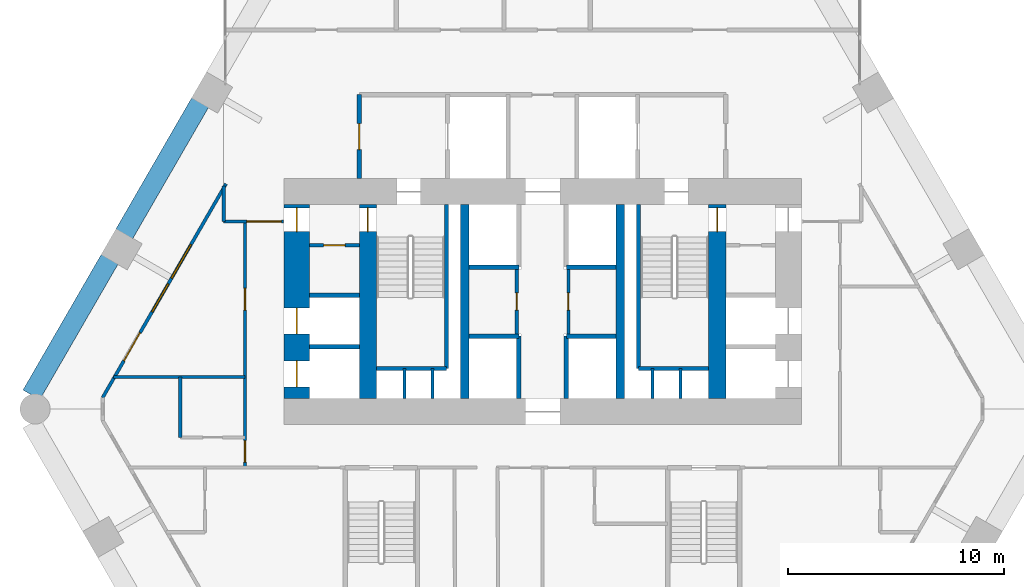
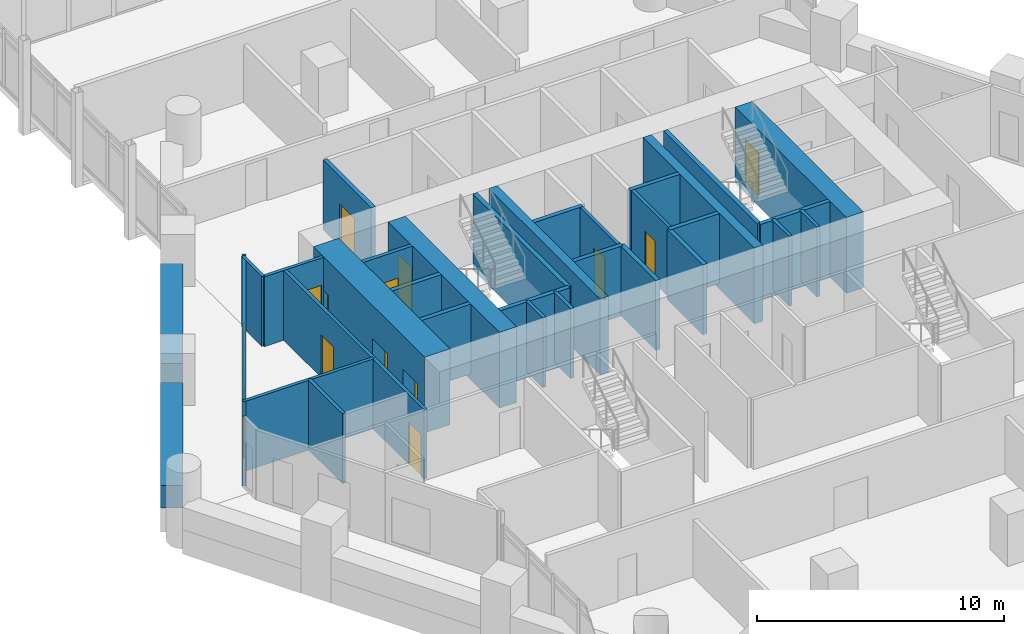
# One storey, part 25 of 28: 33 walls, 13 doors, 2 windows, 15 openings.
"""IFC4 building model written with IfcOpenShell, lengths in metres."""

from ifc_helpers import new_model, si_unit, direction, frame, frame_2d, origin, place, context, subcontext, project, spatial, rectangle, extrude, material, layer, layer_set, type_object, element, fill, save


model = new_model("IFC4")

# Units and contexts
model_context = context("Model", 3, precision=1e-05, world=origin(), true_north=direction((0.0, 1.0)))
body_context = subcontext(model_context, "Body", "Model", "MODEL_VIEW")
ifc_project = project(units=[si_unit("LENGTHUNIT", "METRE"), si_unit("AREAUNIT", "SQUARE_METRE"), si_unit("VOLUMEUNIT", "CUBIC_METRE"), si_unit("PLANEANGLEUNIT", "RADIAN"), si_unit("MASSUNIT", "GRAM", prefix="KILO")], contexts=[model_context])

# Site, building, storey
site_placement = place(None, origin())
site = spatial("IfcSite", under=ifc_project, at=site_placement, CompositionType="ELEMENT")
building_placement = place(site_placement, origin())
building = spatial("IfcBuilding", under=site, at=building_placement, Name="Ostrander Bayou Hotel Tower", CompositionType="ELEMENT")
storey_placement = place(building_placement, frame((0.0, 0.0, 76.75)))
storey = spatial("IfcBuildingStorey", under=building, at=storey_placement, Name="L19", CompositionType="ELEMENT", Elevation=76.75)

# Wall, openings, doors
ifc_material_1 = material(Name="Concrete f'c 70 MPa", Category="concrete")
ifc_layer_1 = layer(ifc_material_1, 1.199951171875)
ifc_layer_set_1 = layer_set([ifc_layer_1], Name="CW1 core wall 1200 mm f'c 70 MPa")
wall_type_1 = type_object("IfcWallType", Name="CW1 core wall 1200 mm f'c 70 MPa", PredefinedType="SHEAR", material=ifc_layer_set_1)
wall_1_placement = place(storey_placement, frame((-11.39990234375, -0.5, -0.300048828125), z_axis=(0.0, 0.0, 1.0), x_axis=(0.0, 1.0, 0.0)))
wall_1 = element("IfcWall", 1, at=wall_1_placement, inside=storey, type_object=wall_type_1, Name="CW1 L19 RW", PredefinedType="SHEAR", context=body_context, shape_type="SweptSolid", body=[
    extrude(rectangle(XDim=9.0, YDim=1.199951171875, at=frame_2d((4.5, 0.0))), origin(), (0.0, 0.0, 1.0), 3.75),
])
opening_1_placement = place(wall_1_placement, frame((7.75, 0.0, 0.0)))
opening_1 = element("IfcOpeningElement", 2, at=opening_1_placement, cuts=wall_1, Name="Opening T18-017", PredefinedType="OPENING", context=body_context, shape_type="SweptSolid", body=[
    extrude(rectangle(XDim=1.10009765625, YDim=2.10009765625, at=frame_2d((0.550048828125, 1.050048828125))), frame((0.0, 0.60009765625, 0.0), z_axis=(0.0, -1.0, 0.0), x_axis=(1.0, 0.0, 0.0)), (0.0, 0.0, 1.0), 1.199951171875),
])
opening_2_placement = place(wall_1_placement, frame((0.550048828125, 0.0, 0.0)))
opening_2 = element("IfcOpeningElement", 3, at=opening_2_placement, cuts=wall_1, Name="Opening T18-018", PredefinedType="OPENING", context=body_context, shape_type="SweptSolid", body=[
    extrude(rectangle(XDim=1.199951171875, YDim=2.10009765625, at=frame_2d((0.60009765625, 1.050048828125))), frame((0.0, 0.60009765625, 0.0), z_axis=(0.0, -1.0, 0.0), x_axis=(1.0, 0.0, 0.0)), (0.0, 0.0, 1.0), 1.199951171875),
])
opening_3_placement = place(wall_1_placement, frame((3.0, 0.0, 0.0)))
opening_3 = element("IfcOpeningElement", 4, at=opening_3_placement, cuts=wall_1, Name="Opening T18-019", PredefinedType="OPENING", context=body_context, shape_type="SweptSolid", body=[
    extrude(rectangle(XDim=1.199951171875, YDim=2.10009765625, at=frame_2d((0.60009765625, 1.050048828125))), frame((0.0, 0.60009765625, 0.0), z_axis=(0.0, -1.0, 0.0), x_axis=(1.0, 0.0, 0.0)), (0.0, 0.0, 1.0), 1.199951171875),
])
ifc_material_2 = material(Name="Timber door leaf", Category="wood")
door_type_1 = type_object("IfcDoorType", Name="D5 stair door 1100 x 2100 mm, 90 minute", OperationType="SINGLE_SWING_LEFT", PredefinedType="DOOR", material=ifc_material_2)
door_1_placement = place(opening_1_placement, origin())
door_1 = element("IfcDoor", 5, at=door_1_placement, inside=storey, type_object=door_type_1, Name="dr:L19:017", OperationType="SINGLE_SWING_LEFT", OverallHeight=2.10009765625, OverallWidth=1.10009765625, PredefinedType="DOOR", context=body_context, shape_type="SweptSolid", body=[
    extrude(rectangle(XDim=1.10009765625, YDim=2.10009765625, at=frame_2d((0.550048828125, 1.050048828125))), frame((0.0, 0.02490234375, 0.0), z_axis=(0.0, -1.0, 0.0), x_axis=(1.0, 0.0, 0.0)), (0.0, 0.0, 1.0), 0.050048828125),
])
fill(opening_1, door_1)
ifc_material_3 = material(Name="Stainless steel sliding door", Category="steel")
door_type_2 = type_object("IfcDoorType", Name="LD1 lift landing door 1200 x 2100 mm", OperationType="SINGLE_SWING_LEFT", PredefinedType="DOOR", material=ifc_material_3)
door_2_placement = place(opening_2_placement, origin())
door_2 = element("IfcDoor", 6, at=door_2_placement, inside=storey, type_object=door_type_2, Name="dr:L19:018", OperationType="SLIDING_TO_LEFT", OverallHeight=2.10009765625, OverallWidth=1.199951171875, PredefinedType="DOOR", context=body_context, shape_type="SweptSolid", body=[
    extrude(rectangle(XDim=1.199951171875, YDim=2.10009765625, at=frame_2d((0.60009765625, 1.050048828125))), frame((0.0, 0.02490234375, 0.0), z_axis=(0.0, -1.0, 0.0), x_axis=(1.0, 0.0, 0.0)), (0.0, 0.0, 1.0), 0.050048828125),
])
fill(opening_2, door_2)
door_3_placement = place(opening_3_placement, origin())
door_3 = element("IfcDoor", 7, at=door_3_placement, inside=storey, type_object=door_type_2, Name="dr:L19:019", OperationType="SLIDING_TO_LEFT", OverallHeight=2.10009765625, OverallWidth=1.199951171875, PredefinedType="DOOR", context=body_context, shape_type="SweptSolid", body=[
    extrude(rectangle(XDim=1.199951171875, YDim=2.10009765625, at=frame_2d((0.60009765625, 1.050048828125))), frame((0.0, 0.02490234375, 0.0), z_axis=(0.0, -1.0, 0.0), x_axis=(1.0, 0.0, 0.0)), (0.0, 0.0, 1.0), 0.050048828125),
])
fill(opening_3, door_3)

# Wall, opening, door
ifc_material_4 = material(Name="Concrete f'c 70 MPa", Category="concrete")
ifc_layer_2 = layer(ifc_material_4, 0.800048828125)
ifc_layer_set_2 = layer_set([ifc_layer_2], Name="CW2 core spine wall 800 mm f'c 70 MPa")
wall_type_2 = type_object("IfcWallType", Name="CW2 core spine wall 800 mm f'c 70 MPa", PredefinedType="SHEAR", material=ifc_layer_set_2)
wall_2_placement = place(storey_placement, frame((-8.10009765625, -0.5, -0.300048828125), z_axis=(0.0, 0.0, 1.0), x_axis=(0.0, 1.0, 0.0)))
wall_2 = element("IfcWall", 8, at=wall_2_placement, inside=storey, type_object=wall_type_2, Name="CW2 L19 W", PredefinedType="SHEAR", context=body_context, shape_type="SweptSolid", body=[
    extrude(rectangle(XDim=9.0, YDim=0.800048828125, at=frame_2d((4.5, 0.0))), origin(), (0.0, 0.0, 1.0), 3.75),
])
opening_4_placement = place(wall_2_placement, frame((7.75, 0.0, 0.0)))
opening_4 = element("IfcOpeningElement", 9, at=opening_4_placement, cuts=wall_2, Name="Opening T18-004", PredefinedType="OPENING", context=body_context, shape_type="SweptSolid", body=[
    extrude(rectangle(XDim=1.10009765625, YDim=2.10009765625, at=frame_2d((0.550048828125, 1.050048828125))), frame((0.0, 0.39990234375, 0.0), z_axis=(0.0, -1.0, 0.0), x_axis=(1.0, 0.0, 0.0)), (0.0, 0.0, 1.0), 0.800048828125),
])
door_4_placement = place(opening_4_placement, origin())
door_4 = element("IfcDoor", 10, at=door_4_placement, inside=storey, type_object=door_type_1, Name="dr:L19:004", OperationType="SINGLE_SWING_RIGHT", OverallHeight=2.10009765625, OverallWidth=1.10009765625, PredefinedType="DOOR", context=body_context, shape_type="SweptSolid", body=[
    extrude(rectangle(XDim=1.10009765625, YDim=2.10009765625, at=frame_2d((0.550048828125, 1.050048828125))), frame((0.0, 0.02490234375, 0.0), z_axis=(0.0, -1.0, 0.0), x_axis=(1.0, 0.0, 0.0)), (0.0, 0.0, 1.0), 0.050048828125),
])
fill(opening_4, door_4)

wall_3_placement = place(storey_placement, frame((8.10009765625, -0.5, -0.300048828125), z_axis=(0.0, 0.0, 1.0), x_axis=(0.0, 1.0, 0.0)))
wall_3 = element("IfcWall", 11, at=wall_3_placement, inside=storey, type_object=wall_type_2, Name="CW2 L19 E", PredefinedType="SHEAR", context=body_context, shape_type="SweptSolid", body=[
    extrude(rectangle(XDim=9.0, YDim=0.800048828125, at=frame_2d((4.5, 0.0))), origin(), (0.0, 0.0, 1.0), 3.75),
])
opening_5_placement = place(wall_3_placement, frame((7.75, 0.0, 0.0)))
opening_5 = element("IfcOpeningElement", 12, at=opening_5_placement, cuts=wall_3, Name="Opening T18-006", PredefinedType="OPENING", context=body_context, shape_type="SweptSolid", body=[
    extrude(rectangle(XDim=1.10009765625, YDim=2.10009765625, at=frame_2d((0.550048828125, 1.050048828125))), frame((0.0, 0.39990234375, 0.0), z_axis=(0.0, -1.0, 0.0), x_axis=(1.0, 0.0, 0.0)), (0.0, 0.0, 1.0), 0.800048828125),
])
door_5_placement = place(opening_5_placement, origin())
door_5 = element("IfcDoor", 13, at=door_5_placement, inside=storey, type_object=door_type_1, Name="dr:L19:006", OperationType="SINGLE_SWING_LEFT", OverallHeight=2.10009765625, OverallWidth=1.10009765625, PredefinedType="DOOR", context=body_context, shape_type="SweptSolid", body=[
    extrude(rectangle(XDim=1.10009765625, YDim=2.10009765625, at=frame_2d((0.550048828125, 1.050048828125))), frame((0.0, 0.02490234375, 0.0), z_axis=(0.0, -1.0, 0.0), x_axis=(1.0, 0.0, 0.0)), (0.0, 0.0, 1.0), 0.050048828125),
])
fill(opening_5, door_5)

# Walls
ifc_material_5 = material(Name="Concrete f'c 70 MPa", Category="concrete")
ifc_layer_3 = layer(ifc_material_5, 0.39990234375)
ifc_layer_set_3 = layer_set([ifc_layer_3], Name="CW3 core bank wall 400 mm f'c 70 MPa")
wall_type_3 = type_object("IfcWallType", Name="CW3 core bank wall 400 mm f'c 70 MPa", PredefinedType="SHEAR", material=ifc_layer_set_3)
for number, where, z_axis, x_axis, name in (
    (14, (-3.60009765625, -0.5, -0.300048828125), (0.0, 0.0, 1.0), (0.0, 1.0, 0.0), "CW3 L19 CW"),
    (15, (3.60009765625, -0.5, -0.300048828125), (0.0, 0.0, 1.0), (0.0, 1.0, 0.0), "CW3 L19 CE"),
):
    element("IfcWall", number, at=place(storey_placement, frame(where, z_axis=z_axis, x_axis=x_axis)), inside=storey, type_object=wall_type_3, Name=name, PredefinedType="SHEAR", context=body_context, shape_type="SweptSolid", body=[
        extrude(rectangle(XDim=9.0, YDim=0.39990234375, at=frame_2d((4.5, 0.0))), origin(), (0.0, 0.0, 1.0), 3.75),
    ])

# Wall, openings, door, windows
ifc_material_6 = material(Name="Aluminium framed insulated wall", Category="aluminium")
ifc_layer_4 = layer(ifc_material_6, 0.14990234375)
ifc_layer_set_4 = layer_set([ifc_layer_4], Name="GW1 glass-line wall 150 mm")
wall_type_4 = type_object("IfcWallType", Name="GW1 glass-line wall 150 mm", PredefinedType="SOLIDWALL", material=ifc_layer_set_4)
wall_4_placement = place(storey_placement, frame((-14.678955078125, 9.46142578125, 0.0), z_axis=(0.0, 0.0, 1.0), x_axis=(-0.499991453095, -0.866030338286, 0.0)))
wall_4 = element("IfcWall", 16, at=wall_4_placement, inside=storey, type_object=wall_type_4, Name="GW1 L19 NW 1", PredefinedType="SOLIDWALL", context=body_context, shape_type="SweptSolid", body=[
    extrude(rectangle(XDim=11.444091796875, YDim=0.14990234375, at=frame_2d((5.72216796875, 0.0))), origin(), (0.0, 0.0, 1.0), 3.449951171875),
])
opening_6_placement = place(wall_4_placement, frame((3.25439453125, 0.0, 0.14990234375)))
opening_6 = element("IfcOpeningElement", 17, at=opening_6_placement, cuts=wall_4, Name="Opening W7", PredefinedType="OPENING", context=body_context, shape_type="SweptSolid", body=[
    extrude(rectangle(XDim=1.800048828125, YDim=2.199951171875, at=frame_2d((0.89990234375, 1.10009765625))), frame((0.0, 0.074951171875, 0.0), z_axis=(0.0, -1.0, 0.0), x_axis=(1.0, 0.0, 0.0)), (0.0, 0.0, 1.0), 0.14990234375),
])
opening_7_placement = place(wall_4_placement, frame((5.3544921875, 0.0, 0.14990234375)))
opening_7 = element("IfcOpeningElement", 18, at=opening_7_placement, cuts=wall_4, Name="Opening W11", PredefinedType="OPENING", context=body_context, shape_type="SweptSolid", body=[
    extrude(rectangle(XDim=1.5, YDim=2.199951171875, at=frame_2d((0.75, 1.10009765625))), frame((0.0, 0.074951171875, 0.0), z_axis=(0.0, -1.0, 0.0), x_axis=(1.0, 0.0, 0.0)), (0.0, 0.0, 1.0), 0.14990234375),
])
opening_8_placement = place(wall_4_placement, frame((7.973876953125, 0.0, 0.0)))
opening_8 = element("IfcOpeningElement", 19, at=opening_8_placement, cuts=wall_4, Name="Opening T18-800", PredefinedType="OPENING", context=body_context, shape_type="SweptSolid", body=[
    extrude(rectangle(XDim=1.5, YDim=2.39990234375, at=frame_2d((0.75, 1.199951171875))), frame((0.0, 0.074951171875, 0.0), z_axis=(0.0, -1.0, 0.0), x_axis=(1.0, 0.0, 0.0)), (0.0, 0.0, 1.0), 0.14990234375),
])
ifc_material_7 = material(Name="Aluminium and clear glass", Category="aluminium")
door_type_3 = type_object("IfcDoorType", Name="SD1 sliding glass door 1500 mm, zone 1", OperationType="SLIDING_TO_LEFT", PredefinedType="DOOR", material=ifc_material_7)
door_6_placement = place(opening_8_placement, origin())
door_6 = element("IfcDoor", 20, at=door_6_placement, inside=storey, type_object=door_type_3, Name="SD1 L19 NW 5", OperationType="SLIDING_TO_LEFT", OverallHeight=2.39990234375, OverallWidth=1.5, PredefinedType="DOOR", context=body_context, shape_type="SweptSolid", body=[
    extrude(rectangle(XDim=1.5, YDim=2.39990234375, at=frame_2d((0.75, 1.199951171875))), frame((0.0, 0.02490234375, 0.0), z_axis=(0.0, -1.0, 0.0), x_axis=(1.0, 0.0, 0.0)), (0.0, 0.0, 1.0), 0.050048828125),
])
fill(opening_8, door_6)
ifc_material_8 = material(Name="Aluminium and clear glass", Category="aluminium")
window_type_1 = type_object("IfcWindowType", Name="W11 fixed window 1500 mm, bath bay, zone 1", PartitioningType="SINGLE_PANEL", PredefinedType="WINDOW", material=ifc_material_8)
window_1_placement = place(opening_7_placement, origin())
window_1 = element("IfcWindow", 21, at=window_1_placement, inside=storey, type_object=window_type_1, Name="W11 L19 NW 4", OverallHeight=2.199951171875, OverallWidth=1.5, PartitioningType="SINGLE_PANEL", PredefinedType="WINDOW", context=body_context, shape_type="SweptSolid", body=[
    extrude(rectangle(XDim=1.5, YDim=2.199951171875, at=frame_2d((0.75, 1.10009765625))), frame((0.0, 0.030029296875, 0.0), z_axis=(0.0, -1.0, 0.0), x_axis=(1.0, 0.0, 0.0)), (0.0, 0.0, 1.0), 0.06005859375),
])
fill(opening_7, window_1)
ifc_material_9 = material(Name="Aluminium and clear glass", Category="aluminium")
window_type_2 = type_object("IfcWindowType", Name="W7 fixed window 1800 mm, bar storeys, zone 1", PartitioningType="SINGLE_PANEL", PredefinedType="WINDOW", material=ifc_material_9)
window_2_placement = place(opening_6_placement, origin())
window_2 = element("IfcWindow", 22, at=window_2_placement, inside=storey, type_object=window_type_2, Name="W7 L19 NW 4", OverallHeight=2.199951171875, OverallWidth=1.800048828125, PartitioningType="SINGLE_PANEL", PredefinedType="WINDOW", context=body_context, shape_type="SweptSolid", body=[
    extrude(rectangle(XDim=1.800048828125, YDim=2.199951171875, at=frame_2d((0.89990234375, 1.10009765625))), frame((0.0, 0.030029296875, 0.0), z_axis=(0.0, -1.0, 0.0), x_axis=(1.0, 0.0, 0.0)), (0.0, 0.0, 1.0), 0.06005859375),
])
fill(opening_6, window_2)

# Walls
ifc_material_10 = material(Name="Concrete f'c 40 MPa", Category="concrete")
ifc_layer_5 = layer(ifc_material_10, 0.89990234375)
ifc_layer_set_5 = layer_set([ifc_layer_5], Name="PA1 stone-faced parapet 900 mm")
wall_type_5 = type_object("IfcWallType", Name="PA1 stone-faced parapet 900 mm", PredefinedType="PARAPET", material=ifc_layer_set_5)
wall_5_placement = place(storey_placement, frame((-15.876708984375, 13.237060546875, 0.0), z_axis=(0.0, 0.0, 1.0), x_axis=(-0.500012199891, -0.86601836006, 0.0)))
element("IfcWall", 23, at=wall_5_placement, inside=storey, type_object=wall_type_5, Name="PA1 L19 NW-2", PredefinedType="PARAPET", context=body_context, shape_type="SweptSolid", body=[
    extrude(rectangle(XDim=7.050537109375, YDim=0.89990234375, at=frame_2d((3.525390625, 0.0))), origin(), (0.0, 0.0, 1.0), 1.10009765625),
])
wall_6_placement = place(storey_placement, frame((-20.072021484375, 5.970458984375, 0.0), z_axis=(0.0, 0.0, 1.0), x_axis=(-0.50000343918, -0.866023418164, 0.0)))
element("IfcWall", 24, at=wall_6_placement, inside=storey, type_object=wall_type_5, Name="PA1 L19 NW-3", PredefinedType="PARAPET", context=body_context, shape_type="SweptSolid", body=[
    extrude(rectangle(XDim=7.2705078125, YDim=0.89990234375, at=frame_2d((3.63525390625, 0.0))), origin(), (0.0, 0.0, 1.0), 1.10009765625),
])

# Wall, opening, door
ifc_material_11 = material(Name="Gypsum board partition", Category="finish")
ifc_layer_6 = layer(ifc_material_11, 0.175048828125)
ifc_layer_set_6 = layer_set([ifc_layer_6], Name="PT4 corridor wall 175 mm, 1 hour")
wall_type_6 = type_object("IfcWallType", Name="PT4 corridor wall 175 mm, 1 hour", PredefinedType="PARTITIONING", material=ifc_layer_set_6)
wall_7_placement = place(storey_placement, frame((-10.800048828125, 6.614013671875, 0.0), z_axis=(0.0, 0.0, 1.0), x_axis=(1.0, 0.0, 0.0)))
wall_7 = element("IfcWall", 25, at=wall_7_placement, inside=storey, type_object=wall_type_6, Name="cs:L19:036", PredefinedType="PARTITIONING", context=body_context, shape_type="SweptSolid", body=[
    extrude(rectangle(XDim=2.300048828125, YDim=0.175048828125, at=frame_2d((1.14990234375, 0.0))), origin(), (0.0, 0.0, 1.0), 3.449951171875),
])
opening_9_placement = place(wall_7_placement, frame((0.64990234375, 0.0, 0.0)))
opening_9 = element("IfcOpeningElement", 26, at=opening_9_placement, cuts=wall_7, Name="Opening T18-016", PredefinedType="OPENING", context=body_context, shape_type="SweptSolid", body=[
    extrude(rectangle(XDim=1.0, YDim=2.10009765625, at=frame_2d((0.5, 1.050048828125))), frame((0.0, 0.08740234375, 0.0), z_axis=(0.0, -1.0, 0.0), x_axis=(1.0, 0.0, 0.0)), (0.0, 0.0, 1.0), 0.175048828125),
])
ifc_material_12 = material(Name="Timber door leaf", Category="wood")
door_type_4 = type_object("IfcDoorType", Name="D4 corridor door 1000 x 2100 mm, 1 hour", OperationType="SINGLE_SWING_LEFT", PredefinedType="DOOR", material=ifc_material_12)
door_7_placement = place(opening_9_placement, origin())
door_7 = element("IfcDoor", 27, at=door_7_placement, inside=storey, type_object=door_type_4, Name="dr:L19:016", OperationType="SINGLE_SWING_LEFT", OverallHeight=2.10009765625, OverallWidth=1.0, PredefinedType="DOOR", context=body_context, shape_type="SweptSolid", body=[
    extrude(rectangle(XDim=1.0, YDim=2.10009765625, at=frame_2d((0.5, 1.050048828125))), frame((0.0, 0.02490234375, 0.0), z_axis=(0.0, -1.0, 0.0), x_axis=(1.0, 0.0, 0.0)), (0.0, 0.0, 1.0), 0.050048828125),
])
fill(opening_9, door_7)

ifc_material_13 = material(Name="Masonry block", Category="masonry")
ifc_layer_7 = layer(ifc_material_13, 0.199951171875)
ifc_layer_set_7 = layer_set([ifc_layer_7], Name="PT5 stair enclosure wall 200 mm masonry, 2 hour")
wall_type_7 = type_object("IfcWallType", Name="PT5 stair enclosure wall 200 mm masonry, 2 hour", PredefinedType="PARTITIONING", material=ifc_layer_set_7)
wall_8_placement = place(storey_placement, frame((-8.5, 9.699951171875, 0.0), z_axis=(0.0, 0.0, 1.0), x_axis=(0.0, 1.0, 0.0)))
wall_8 = element("IfcWall", 28, at=wall_8_placement, inside=storey, type_object=wall_type_7, Name="cs:L19:026", PredefinedType="PARTITIONING", context=body_context, shape_type="SweptSolid", body=[
    extrude(rectangle(XDim=3.900146484375, YDim=0.199951171875, at=frame_2d((1.9501953125, 0.0))), origin(), (0.0, 0.0, 1.0), 3.449951171875),
])
opening_10_placement = place(wall_8_placement, frame((1.35009765625, 0.0, 0.0)))
opening_10 = element("IfcOpeningElement", 29, at=opening_10_placement, cuts=wall_8, Name="Opening T18-010", PredefinedType="OPENING", context=body_context, shape_type="SweptSolid", body=[
    extrude(rectangle(XDim=1.199951171875, YDim=2.10009765625, at=frame_2d((0.60009765625, 1.050048828125))), frame((0.0, 0.10009765625, 0.0), z_axis=(0.0, -1.0, 0.0), x_axis=(1.0, 0.0, 0.0)), (0.0, 0.0, 1.0), 0.199951171875),
])
ifc_material_14 = material(Name="Timber door leaf", Category="wood")
door_type_5 = type_object("IfcDoorType", Name="D7 lobby door 1200 x 2100 mm, 1 hour", OperationType="SINGLE_SWING_LEFT", PredefinedType="DOOR", material=ifc_material_14)
door_8_placement = place(opening_10_placement, origin())
door_8 = element("IfcDoor", 30, at=door_8_placement, inside=storey, type_object=door_type_5, Name="dr:L19:010", OperationType="SINGLE_SWING_LEFT", OverallHeight=2.10009765625, OverallWidth=1.199951171875, PredefinedType="DOOR", context=body_context, shape_type="SweptSolid", body=[
    extrude(rectangle(XDim=1.199951171875, YDim=2.10009765625, at=frame_2d((0.60009765625, 1.050048828125))), frame((0.0, 0.02490234375, 0.0), z_axis=(0.0, -1.0, 0.0), x_axis=(1.0, 0.0, 0.0)), (0.0, 0.0, 1.0), 0.050048828125),
])
fill(opening_10, door_8)

# Walls
ifc_material_15 = material(Name="Masonry block", Category="masonry")
ifc_layer_8 = layer(ifc_material_15, 0.199951171875)
ifc_layer_set_8 = layer_set([ifc_layer_8], Name="PT6 lift shaft wall 200 mm masonry, 2 hour")
wall_type_8 = type_object("IfcWallType", Name="PT6 lift shaft wall 200 mm masonry, 2 hour", PredefinedType="PARTITIONING", material=ifc_layer_set_8)
for number, where, z_axis, x_axis, name in (
    (31, (-3.39990234375, 2.39990234375, 0.0), (0.0, 0.0, 1.0), (1.0, 0.0, 0.0), "cs:L19:001"),
    (32, (-3.39990234375, 5.60009765625, 0.0), (0.0, 0.0, 1.0), (1.0, 0.0, 0.0), "cs:L19:002"),
    (33, (1.10009765625, 2.39990234375, 0.0), (0.0, 0.0, 1.0), (1.0, 0.0, 0.0), "cs:L19:003"),
    (34, (1.10009765625, 5.60009765625, 0.0), (0.0, 0.0, 1.0), (1.0, 0.0, 0.0), "cs:L19:004"),
):
    element("IfcWall", number, at=place(storey_placement, frame(where, z_axis=z_axis, x_axis=x_axis)), inside=storey, type_object=wall_type_8, Name=name, PredefinedType="PARTITIONING", context=body_context, shape_type="SweptSolid", body=[
        extrude(rectangle(XDim=2.2998046875, YDim=0.199951171875, at=frame_2d((1.14990234375, 0.0))), origin(), (0.0, 0.0, 1.0), 3.449951171875),
    ])
for number, where, z_axis, x_axis, name in (
    (35, (-1.10009765625, -0.5, 0.0), (0.0, 0.0, 1.0), (0.0, 1.0, 0.0), "cs:L19:005"),
    (36, (1.10009765625, -0.5, 0.0), (0.0, 0.0, 1.0), (0.0, 1.0, 0.0), "cs:L19:006"),
):
    element("IfcWall", number, at=place(storey_placement, frame(where, z_axis=z_axis, x_axis=x_axis)), inside=storey, type_object=wall_type_8, Name=name, PredefinedType="PARTITIONING", context=body_context, shape_type="SweptSolid", body=[
        extrude(rectangle(XDim=2.89990234375, YDim=0.199951171875, at=frame_2d((1.449951171875, 0.0))), origin(), (0.0, 0.0, 1.0), 3.449951171875),
    ])
for number, where, z_axis, x_axis, name in (
    (37, (-10.800048828125, 1.89990234375, 0.0), (0.0, 0.0, 1.0), (1.0, 0.0, 0.0), "cs:L19:034"),
    (38, (-10.800048828125, 4.300048828125, 0.0), (0.0, 0.0, 1.0), (1.0, 0.0, 0.0), "cs:L19:035"),
):
    element("IfcWall", number, at=place(storey_placement, frame(where, z_axis=z_axis, x_axis=x_axis)), inside=storey, type_object=wall_type_8, Name=name, PredefinedType="PARTITIONING", context=body_context, shape_type="SweptSolid", body=[
        extrude(rectangle(XDim=2.300048828125, YDim=0.199951171875, at=frame_2d((1.14990234375, 0.0))), origin(), (0.0, 0.0, 1.0), 3.449951171875),
    ])
ifc_material_16 = material(Name="Gypsum board partition", Category="finish")
ifc_layer_9 = layer(ifc_material_16, 0.14990234375)
ifc_layer_set_9 = layer_set([ifc_layer_9], Name="PT7 riser wall 150 mm, 2 hour")
wall_type_9 = type_object("IfcWallType", Name="PT7 riser wall 150 mm, 2 hour", PredefinedType="PARTITIONING", material=ifc_layer_set_9)
for number, where, z_axis, x_axis, name in (
    (39, (-6.39990234375, -0.5, 0.0), (0.0, 0.0, 1.0), (0.0, 1.0, 0.0), "cs:L19:011"),
    (40, (-5.10009765625, -0.5, 0.0), (0.0, 0.0, 1.0), (0.0, 1.0, 0.0), "cs:L19:012"),
    (41, (5.10009765625, -0.5, 0.0), (0.0, 0.0, 1.0), (0.0, 1.0, 0.0), "cs:L19:015"),
    (42, (6.39990234375, -0.5, 0.0), (0.0, 0.0, 1.0), (0.0, 1.0, 0.0), "cs:L19:016"),
):
    element("IfcWall", number, at=place(storey_placement, frame(where, z_axis=z_axis, x_axis=x_axis)), inside=storey, type_object=wall_type_9, Name=name, PredefinedType="PARTITIONING", context=body_context, shape_type="SweptSolid", body=[
        extrude(rectangle(XDim=1.39990234375, YDim=0.14990234375, at=frame_2d((0.699951171875, 0.0))), origin(), (0.0, 0.0, 1.0), 3.449951171875),
    ])

# Wall, opening, door
wall_9_placement = place(storey_placement, frame((-1.199951171875, 2.5, 0.0), z_axis=(0.0, 0.0, 1.0), x_axis=(0.0, 1.0, 0.0)))
wall_9 = element("IfcWall", 43, at=wall_9_placement, inside=storey, type_object=wall_type_9, Name="cs:L19:032", PredefinedType="PARTITIONING", context=body_context, shape_type="SweptSolid", body=[
    extrude(rectangle(XDim=3.0, YDim=0.14990234375, at=frame_2d((1.5, 0.0))), origin(), (0.0, 0.0, 1.0), 3.449951171875),
])
opening_11_placement = place(wall_9_placement, frame((1.10009765625, 0.0, 0.0)))
opening_11 = element("IfcOpeningElement", 44, at=opening_11_placement, cuts=wall_9, Name="Opening T18-014", PredefinedType="OPENING", context=body_context, shape_type="SweptSolid", body=[
    extrude(rectangle(XDim=0.800048828125, YDim=2.10009765625, at=frame_2d((0.39990234375, 1.050048828125))), frame((0.0, 0.074951171875, 0.0), z_axis=(0.0, -1.0, 0.0), x_axis=(1.0, 0.0, 0.0)), (0.0, 0.0, 1.0), 0.14990234375),
])
ifc_material_17 = material(Name="Timber door leaf", Category="wood")
door_type_6 = type_object("IfcDoorType", Name="D6 riser door 800 x 2100 mm, 90 minute", OperationType="SINGLE_SWING_LEFT", PredefinedType="DOOR", material=ifc_material_17)
door_9_placement = place(opening_11_placement, origin())
door_9 = element("IfcDoor", 45, at=door_9_placement, inside=storey, type_object=door_type_6, Name="dr:L19:014", OperationType="SINGLE_SWING_LEFT", OverallHeight=2.10009765625, OverallWidth=0.800048828125, PredefinedType="DOOR", context=body_context, shape_type="SweptSolid", body=[
    extrude(rectangle(XDim=0.800048828125, YDim=2.10009765625, at=frame_2d((0.39990234375, 1.050048828125))), frame((0.0, 0.02490234375, 0.0), z_axis=(0.0, -1.0, 0.0), x_axis=(1.0, 0.0, 0.0)), (0.0, 0.0, 1.0), 0.050048828125),
])
fill(opening_11, door_9)

wall_10_placement = place(storey_placement, frame((1.199951171875, 2.5, 0.0), z_axis=(0.0, 0.0, 1.0), x_axis=(0.0, 1.0, 0.0)))
wall_10 = element("IfcWall", 46, at=wall_10_placement, inside=storey, type_object=wall_type_9, Name="cs:L19:033", PredefinedType="PARTITIONING", context=body_context, shape_type="SweptSolid", body=[
    extrude(rectangle(XDim=3.0, YDim=0.14990234375, at=frame_2d((1.5, 0.0))), origin(), (0.0, 0.0, 1.0), 3.449951171875),
])
opening_12_placement = place(wall_10_placement, frame((1.10009765625, 0.0, 0.0)))
opening_12 = element("IfcOpeningElement", 47, at=opening_12_placement, cuts=wall_10, Name="Opening T18-015", PredefinedType="OPENING", context=body_context, shape_type="SweptSolid", body=[
    extrude(rectangle(XDim=0.800048828125, YDim=2.10009765625, at=frame_2d((0.39990234375, 1.050048828125))), frame((0.0, 0.074951171875, 0.0), z_axis=(0.0, -1.0, 0.0), x_axis=(1.0, 0.0, 0.0)), (0.0, 0.0, 1.0), 0.14990234375),
])
door_10_placement = place(opening_12_placement, origin())
door_10 = element("IfcDoor", 48, at=door_10_placement, inside=storey, type_object=door_type_6, Name="dr:L19:015", OperationType="SINGLE_SWING_RIGHT", OverallHeight=2.10009765625, OverallWidth=0.800048828125, PredefinedType="DOOR", context=body_context, shape_type="SweptSolid", body=[
    extrude(rectangle(XDim=0.800048828125, YDim=2.10009765625, at=frame_2d((0.39990234375, 1.050048828125))), frame((0.0, 0.02490234375, 0.0), z_axis=(0.0, -1.0, 0.0), x_axis=(1.0, 0.0, 0.0)), (0.0, 0.0, 1.0), 0.050048828125),
])
fill(opening_12, door_10)

# Wall
ifc_material_18 = material(Name="Gypsum board partition", Category="finish")
ifc_layer_10 = layer(ifc_material_18, 0.14990234375)
ifc_layer_set_10 = layer_set([ifc_layer_10], Name="PT8 service band wall 150 mm, 1 hour")
wall_type_10 = type_object("IfcWallType", Name="PT8 service band wall 150 mm, 1 hour", PredefinedType="PARTITIONING", material=ifc_layer_set_10)
wall_11_placement = place(storey_placement, frame((-19.905029296875, 0.5, 0.0), z_axis=(0.0, 0.0, 1.0), x_axis=(1.0, 0.0, 0.0)))
element("IfcWall", 49, at=wall_11_placement, inside=storey, type_object=wall_type_10, Name="gw:L19:012", PredefinedType="PARTITIONING", context=body_context, shape_type="SweptSolid", body=[
    extrude(rectangle(XDim=6.10498046875, YDim=0.14990234375, at=frame_2d((3.052490234375, 0.0))), origin(), (0.0, 0.0, 1.0), 3.449951171875),
])

# Wall, opening, door
wall_12_placement = place(storey_placement, frame((-14.784912109375, 7.715087890625, 0.0), z_axis=(0.0, 0.0, 1.0), x_axis=(1.0, 0.0, 0.0)))
wall_12 = element("IfcWall", 50, at=wall_12_placement, inside=storey, type_object=wall_type_10, Name="gw:L19:014", PredefinedType="PARTITIONING", context=body_context, shape_type="SweptSolid", body=[
    extrude(rectangle(XDim=2.77490234375, YDim=0.14990234375, at=frame_2d((1.387451171875, 0.0))), origin(), (0.0, 0.0, 1.0), 3.449951171875),
])
opening_13_placement = place(wall_12_placement, frame((1.074951171875, 0.0, 0.0)))
opening_13 = element("IfcOpeningElement", 51, at=opening_13_placement, cuts=wall_12, Name="Opening T18-1212", PredefinedType="OPENING", context=body_context, shape_type="SweptSolid", body=[
    extrude(rectangle(XDim=1.60009765625, YDim=2.10009765625, at=frame_2d((0.800048828125, 1.050048828125))), frame((0.0, 0.074951171875, 0.0), z_axis=(0.0, -1.0, 0.0), x_axis=(1.0, 0.0, 0.0)), (0.0, 0.0, 1.0), 0.14990234375),
])
ifc_material_19 = material(Name="Timber door leaf", Category="wood")
door_type_7 = type_object("IfcDoorType", Name="D13 double door 1600 x 2100 mm, 1 hour", OperationType="SINGLE_SWING_LEFT", PredefinedType="DOOR", material=ifc_material_19)
door_11_placement = place(opening_13_placement, origin())
door_11 = element("IfcDoor", 52, at=door_11_placement, inside=storey, type_object=door_type_7, Name="dr:L19:1212", OperationType="DOUBLE_DOOR_SINGLE_SWING", OverallHeight=2.10009765625, OverallWidth=1.60009765625, PredefinedType="DOOR", context=body_context, shape_type="SweptSolid", body=[
    extrude(rectangle(XDim=1.60009765625, YDim=2.10009765625, at=frame_2d((0.800048828125, 1.050048828125))), frame((0.0, 0.02490234375, 0.0), z_axis=(0.0, -1.0, 0.0), x_axis=(1.0, 0.0, 0.0)), (0.0, 0.0, 1.0), 0.050048828125),
])
fill(opening_13, door_11)

# Wall, openings, doors
wall_13_placement = place(storey_placement, frame((-13.800048828125, -3.699951171875, 0.0), z_axis=(0.0, 0.0, 1.0), x_axis=(0.0, 1.0, 0.0)))
wall_13 = element("IfcWall", 53, at=wall_13_placement, inside=storey, type_object=wall_type_10, Name="gw:L19:022", PredefinedType="PARTITIONING", context=body_context, shape_type="SweptSolid", body=[
    extrude(rectangle(XDim=11.4150390625, YDim=0.14990234375, at=frame_2d((5.70751953125, 0.0))), origin(), (0.0, 0.0, 1.0), 3.449951171875),
])
opening_14_placement = place(wall_13_placement, frame((0.25, 0.0, 0.0)))
opening_14 = element("IfcOpeningElement", 54, at=opening_14_placement, cuts=wall_13, Name="Opening T18-407", PredefinedType="OPENING", context=body_context, shape_type="SweptSolid", body=[
    extrude(rectangle(XDim=1.0, YDim=2.10009765625, at=frame_2d((0.5, 1.050048828125))), frame((0.0, 0.074951171875, 0.0), z_axis=(0.0, -1.0, 0.0), x_axis=(1.0, 0.0, 0.0)), (0.0, 0.0, 1.0), 0.14990234375),
])
opening_15_placement = place(wall_13_placement, frame((7.30810546875, 0.0, 0.0)))
opening_15 = element("IfcOpeningElement", 55, at=opening_15_placement, cuts=wall_13, Name="Opening T18-409", PredefinedType="OPENING", context=body_context, shape_type="SweptSolid", body=[
    extrude(rectangle(XDim=1.0, YDim=2.10009765625, at=frame_2d((0.5, 1.050048828125))), frame((0.0, 0.074951171875, 0.0), z_axis=(0.0, -1.0, 0.0), x_axis=(1.0, 0.0, 0.0)), (0.0, 0.0, 1.0), 0.14990234375),
])
ifc_material_20 = material(Name="Timber door leaf", Category="wood")
door_type_8 = type_object("IfcDoorType", Name="D1 guest room door 1000 x 2100 mm, 30 minute", OperationType="SINGLE_SWING_LEFT", PredefinedType="DOOR", material=ifc_material_20)
door_12_placement = place(opening_14_placement, origin())
door_12 = element("IfcDoor", 56, at=door_12_placement, inside=storey, type_object=door_type_8, Name="dr:L19:407", OperationType="SINGLE_SWING_LEFT", OverallHeight=2.10009765625, OverallWidth=1.0, PredefinedType="DOOR", context=body_context, shape_type="SweptSolid", body=[
    extrude(rectangle(XDim=1.0, YDim=2.10009765625, at=frame_2d((0.5, 1.050048828125))), frame((0.0, 0.02490234375, 0.0), z_axis=(0.0, -1.0, 0.0), x_axis=(1.0, 0.0, 0.0)), (0.0, 0.0, 1.0), 0.050048828125),
])
fill(opening_14, door_12)
ifc_material_21 = material(Name="Timber door leaf", Category="wood")
door_type_9 = type_object("IfcDoorType", Name="D9 service door 1000 x 2100 mm, 30 minute", OperationType="SINGLE_SWING_LEFT", PredefinedType="DOOR", material=ifc_material_21)
door_13_placement = place(opening_15_placement, origin())
door_13 = element("IfcDoor", 57, at=door_13_placement, inside=storey, type_object=door_type_9, Name="dr:L19:409", OperationType="SINGLE_SWING_LEFT", OverallHeight=2.10009765625, OverallWidth=1.0, PredefinedType="DOOR", context=body_context, shape_type="SweptSolid", body=[
    extrude(rectangle(XDim=1.0, YDim=2.10009765625, at=frame_2d((0.5, 1.050048828125))), frame((0.0, 0.02490234375, 0.0), z_axis=(0.0, -1.0, 0.0), x_axis=(1.0, 0.0, 0.0)), (0.0, 0.0, 1.0), 0.050048828125),
])
fill(opening_15, door_13)

# Walls
wall_14_placement = place(storey_placement, frame((-14.784912109375, 7.715087890625, 0.0), z_axis=(0.0, 0.0, 1.0), x_axis=(0.0, 1.0, 0.0)))
element("IfcWall", 58, at=wall_14_placement, inside=storey, type_object=wall_type_10, Name="gw:L19:024", PredefinedType="PARTITIONING", context=body_context, shape_type="SweptSolid", body=[
    extrude(rectangle(XDim=1.65283203125, YDim=0.14990234375, at=frame_2d((0.826416015625, 0.0))), origin(), (0.0, 0.0, 1.0), 3.449951171875),
])
wall_15_placement = place(storey_placement, frame((-16.800048828125, -2.300048828125, 0.0), z_axis=(0.0, 0.0, 1.0), x_axis=(0.0, 1.0, 0.0)))
element("IfcWall", 59, at=wall_15_placement, inside=storey, type_object=wall_type_10, Name="gw:L19:026", PredefinedType="PARTITIONING", context=body_context, shape_type="SweptSolid", body=[
    extrude(rectangle(XDim=2.800048828125, YDim=0.14990234375, at=frame_2d((1.39990234375, 0.0))), origin(), (0.0, 0.0, 1.0), 3.449951171875),
])
ifc_material_22 = material(Name="Concrete f'c 45 MPa", Category="concrete")
ifc_layer_11 = layer(ifc_material_22, 0.199951171875)
ifc_layer_set_11 = layer_set([ifc_layer_11], Name="SW5 stair enclosure wall 200 mm f'c 45 MPa")
wall_type_11 = type_object("IfcWallType", Name="SW5 stair enclosure wall 200 mm f'c 45 MPa", PredefinedType="SOLIDWALL", material=ifc_layer_set_11)
wall_16_placement = place(storey_placement, frame((-4.449951171875, 0.89990234375, -0.300048828125), z_axis=(0.0, 0.0, 1.0), x_axis=(0.0, 1.0, 0.0)))
element("IfcWall", 60, at=wall_16_placement, inside=storey, type_object=wall_type_11, Name="cs:L19:009", PredefinedType="SOLIDWALL", context=body_context, shape_type="SweptSolid", body=[
    extrude(rectangle(XDim=7.60009765625, YDim=0.199951171875, at=frame_2d((3.800048828125, 0.0))), origin(), (0.0, 0.0, 1.0), 3.75),
])
wall_17_placement = place(storey_placement, frame((-7.699951171875, 0.89990234375, -0.300048828125), z_axis=(0.0, 0.0, 1.0), x_axis=(1.0, 0.0, 0.0)))
element("IfcWall", 61, at=wall_17_placement, inside=storey, type_object=wall_type_11, Name="cs:L19:010", PredefinedType="SOLIDWALL", context=body_context, shape_type="SweptSolid", body=[
    extrude(rectangle(XDim=3.25, YDim=0.199951171875, at=frame_2d((1.625, 0.0))), origin(), (0.0, 0.0, 1.0), 3.75),
])
wall_18_placement = place(storey_placement, frame((4.449951171875, 0.89990234375, -0.300048828125), z_axis=(0.0, 0.0, 1.0), x_axis=(0.0, 1.0, 0.0)))
element("IfcWall", 62, at=wall_18_placement, inside=storey, type_object=wall_type_11, Name="cs:L19:013", PredefinedType="SOLIDWALL", context=body_context, shape_type="SweptSolid", body=[
    extrude(rectangle(XDim=7.60009765625, YDim=0.199951171875, at=frame_2d((3.800048828125, 0.0))), origin(), (0.0, 0.0, 1.0), 3.75),
])
wall_19_placement = place(storey_placement, frame((4.449951171875, 0.89990234375, -0.300048828125), z_axis=(0.0, 0.0, 1.0), x_axis=(1.0, 0.0, 0.0)))
element("IfcWall", 63, at=wall_19_placement, inside=storey, type_object=wall_type_11, Name="cs:L19:014", PredefinedType="SOLIDWALL", context=body_context, shape_type="SweptSolid", body=[
    extrude(rectangle(XDim=3.25, YDim=0.199951171875, at=frame_2d((1.625, 0.0))), origin(), (0.0, 0.0, 1.0), 3.75),
])

save(model, "model.ifc")
